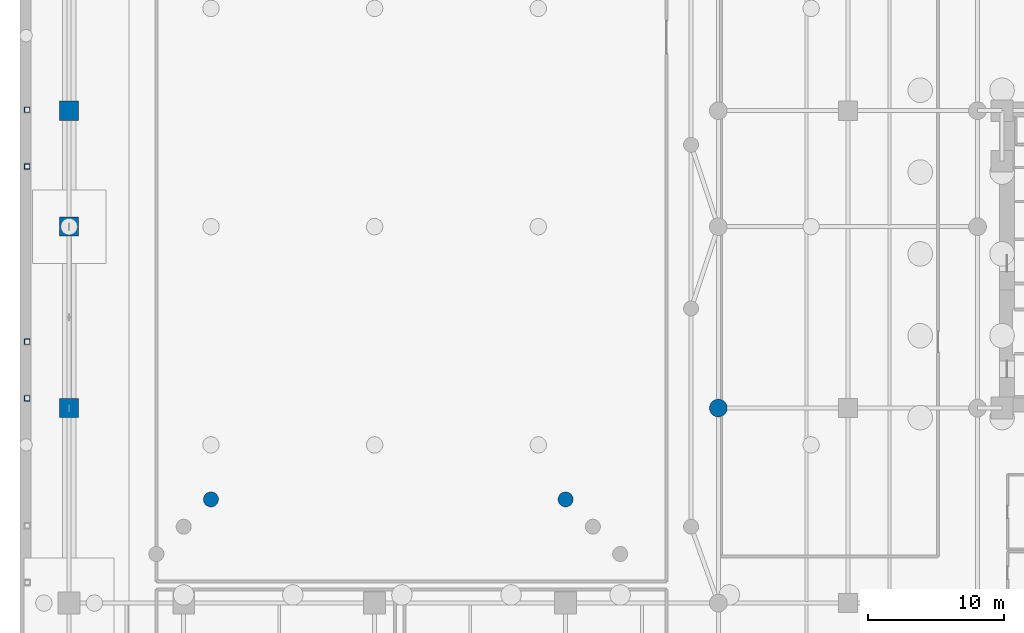
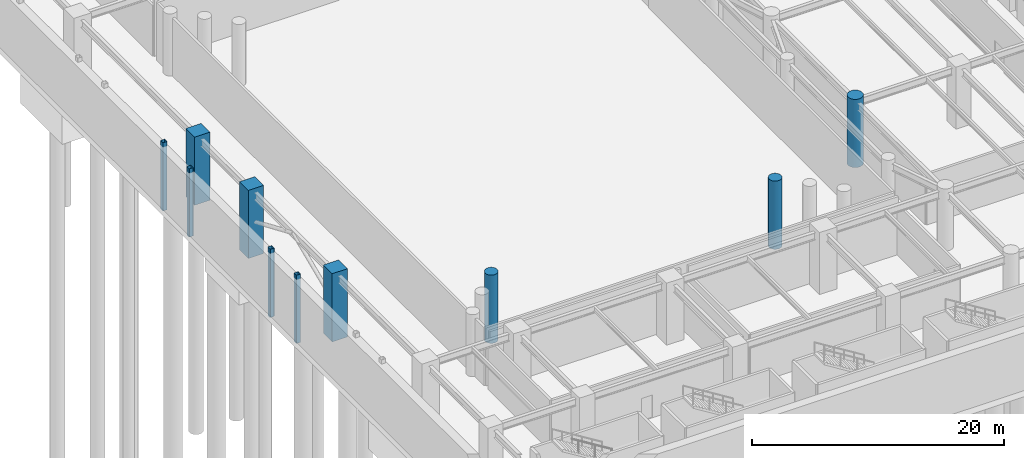
# One storey, part 4 of 37: 10 columns.
"""IFC4 building model written with IfcOpenShell, lengths in metres."""

from ifc_helpers import new_model, si_unit, direction, frame, origin, origin_2d, place, context, subcontext, project, spatial, rectangle, hollow_rectangle, circle, extrude, material, material_profile, profile_set, type_object, element, save


model = new_model("IFC4")

# Units and contexts
model_context = context("Model", 3, precision=1e-05, world=origin(), true_north=direction((0.0, 1.0)))
body_context = subcontext(model_context, "Body", "Model", "MODEL_VIEW")
ifc_project = project(units=[si_unit("LENGTHUNIT", "METRE"), si_unit("AREAUNIT", "SQUARE_METRE"), si_unit("VOLUMEUNIT", "CUBIC_METRE"), si_unit("PLANEANGLEUNIT", "RADIAN"), si_unit("MASSUNIT", "GRAM", prefix="KILO")], contexts=[model_context])

# Site, building, storey
site_placement = place(None, origin())
site = spatial("IfcSite", under=ifc_project, at=site_placement, CompositionType="ELEMENT")
building_placement = place(site_placement, origin())
building = spatial("IfcBuilding", under=site, at=building_placement, Name="Narakoshi Arena Tower", CompositionType="ELEMENT")
storey_placement = place(building_placement, frame((0.0, 0.0, -6.0)))
storey = spatial("IfcBuildingStorey", under=building, at=storey_placement, Name="B01", CompositionType="ELEMENT", Elevation=-6.0)

# Columns
ifc_material_1 = material(Name="Concrete C50/60", Category="concrete")
ifc_material_profile_1 = material_profile(ifc_material_1, circle(Radius=0.550048828125, at=origin_2d()), Name="RCC1100")
ifc_profile_set_1 = profile_set([ifc_material_profile_1], Name="Concrete C50/60")
column_type_1 = type_object("IfcColumnType", Name="COL-CIR1100", PredefinedType="PILASTER", material=ifc_profile_set_1)
for number, where, z_axis, x_axis, name in (
    (1, (14.0, 28.0, -0.60009765625), (0.0, 0.0, 1.0), (1.0, 0.0, 0.0), "B01 Arena Bowl Raker Column BWL1A"),
    (2, (40.0, 28.0, -0.60009765625), (0.0, 0.0, 1.0), (1.0, 0.0, 0.0), "B01 Arena Bowl Raker Column BWL1B"),
):
    element("IfcColumn", number, at=place(storey_placement, frame(where, z_axis=z_axis, x_axis=x_axis)), inside=storey, type_object=column_type_1, Name=name, PredefinedType="PILASTER", context=body_context, shape_type="SweptSolid", body=[
        extrude(circle(Radius=0.550048828125, at=origin_2d()), origin(), (0.0, 0.0, 1.0), 6.60009765625),
    ])
ifc_material_2 = material(Name="Concrete C60/75", Category="concrete")
ifc_material_profile_2 = material_profile(ifc_material_2, circle(Radius=0.64990234375, at=origin_2d()), Name="RCC1300")
ifc_profile_set_2 = profile_set([ifc_material_profile_2], Name="Concrete C60/75")
column_type_2 = type_object("IfcColumnType", Name="COL-CIR1300", PredefinedType="PILASTER", material=ifc_profile_set_2)
column_placement = place(storey_placement, frame((51.199951171875, 34.699951171875, -0.60009765625), z_axis=(0.0, 0.0, 1.0), x_axis=(1.0, 0.0, 0.0)))
element("IfcColumn", 3, at=column_placement, inside=storey, type_object=column_type_2, Name="B01 Podium Column PC24", PredefinedType="PILASTER", context=body_context, shape_type="SweptSolid", body=[
    extrude(circle(Radius=0.64990234375, at=origin_2d()), origin(), (0.0, 0.0, 1.0), 6.60009765625),
])
ifc_material_profile_3 = material_profile(ifc_material_2, rectangle(XDim=1.39990234375, YDim=1.39990234375, at=origin_2d()), Name="RC1400x1400")
ifc_profile_set_3 = profile_set([ifc_material_profile_3], Name="Concrete C60/75")
column_type_3 = type_object("IfcColumnType", Name="COL-RC1400", PredefinedType="COLUMN", material=ifc_profile_set_3)
for number, where, z_axis, x_axis, name in (
    (4, (3.60009765625, 34.699951171875, -0.60009765625), (0.0, 0.0, 1.0), (1.0, 0.0, 0.0), "B01 Podium Column PC04"),
    (5, (3.60009765625, 48.0, -0.60009765625), (0.0, 0.0, 1.0), (1.0, 0.0, 0.0), "B01 Podium Column PC05"),
    (6, (3.60009765625, 56.5, -0.60009765625), (0.0, 0.0, 1.0), (1.0, 0.0, 0.0), "B01 Podium Column PC06"),
):
    element("IfcColumn", number, at=place(storey_placement, frame(where, z_axis=z_axis, x_axis=x_axis)), inside=storey, type_object=column_type_3, Name=name, PredefinedType="COLUMN", context=body_context, shape_type="SweptSolid", body=[
        extrude(rectangle(XDim=1.39990234375, YDim=1.39990234375, at=origin_2d()), origin(), (0.0, 0.0, 1.0), 6.60009765625),
    ])
ifc_material_3 = material(Name="Structural steel S355J2", Category="steel")
ifc_material_profile_4 = material_profile(ifc_material_3, hollow_rectangle(XDim=0.39990234375, YDim=0.39990234375, WallThickness=0.02001953125, OuterFilletRadius=0.0400390625, at=origin_2d()), Name="SHS400x400x20")
ifc_profile_set_4 = profile_set([ifc_material_profile_4], Name="Structural steel S355J2")
column_type_4 = type_object("IfcColumnType", Name="COL-SHS400", PredefinedType="COLUMN", material=ifc_profile_set_4)
for number, where, z_axis, x_axis, name in (
    (7, (0.52001953125, 56.570068359375, -0.60009765625), (0.0, 0.0, 1.0), (1.0, 0.0, 0.0), "B01 Shutter Lintel Pier 03N"),
    (8, (0.52001953125, 52.409912109375, -0.60009765625), (0.0, 0.0, 1.0), (1.0, 0.0, 0.0), "B01 Shutter Lintel Pier 03S"),
    (9, (0.52001953125, 39.570068359375, -0.60009765625), (0.0, 0.0, 1.0), (1.0, 0.0, 0.0), "B01 Shutter Lintel Pier 04N"),
    (10, (0.52001953125, 35.409912109375, -0.60009765625), (0.0, 0.0, 1.0), (1.0, 0.0, 0.0), "B01 Shutter Lintel Pier 04S"),
):
    element("IfcColumn", number, at=place(storey_placement, frame(where, z_axis=z_axis, x_axis=x_axis)), inside=storey, type_object=column_type_4, Name=name, PredefinedType="COLUMN", context=body_context, shape_type="SweptSolid", body=[
        extrude(hollow_rectangle(XDim=0.39990234375, YDim=0.39990234375, WallThickness=0.02001953125, OuterFilletRadius=0.0400390625, at=origin_2d()), origin(), (0.0, 0.0, 1.0), 6.60009765625),
    ])

save(model, "model.ifc")
